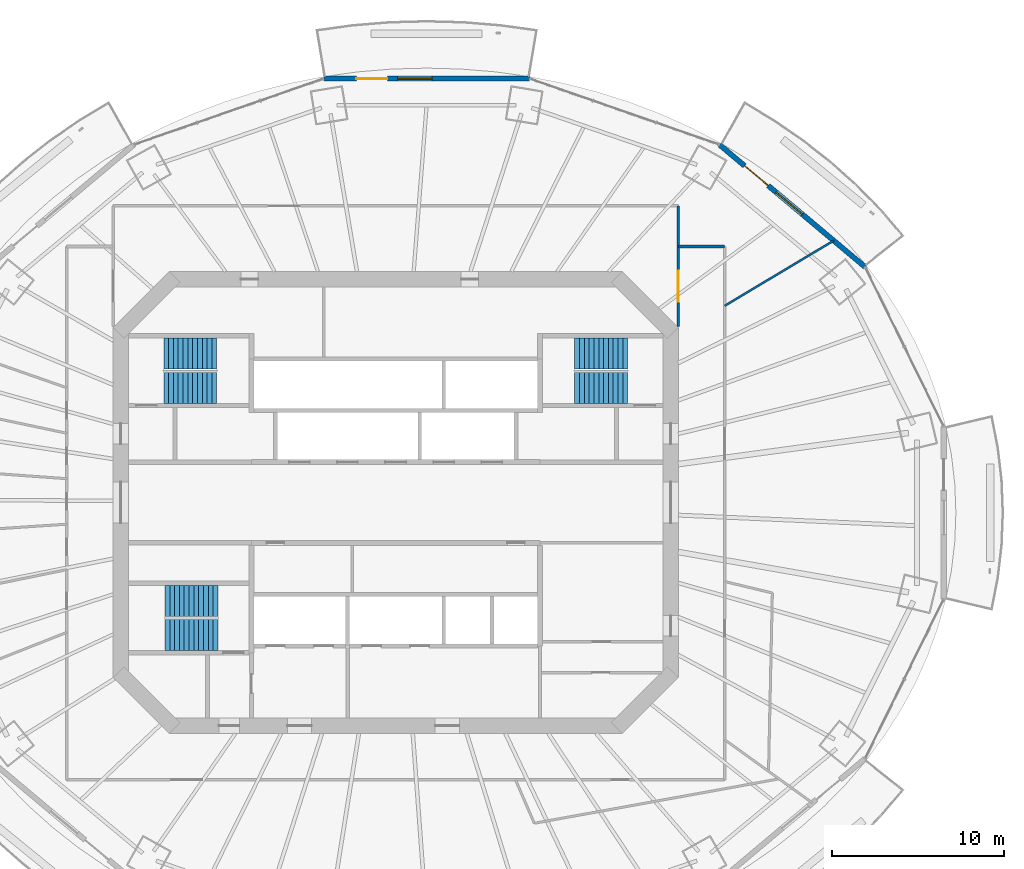
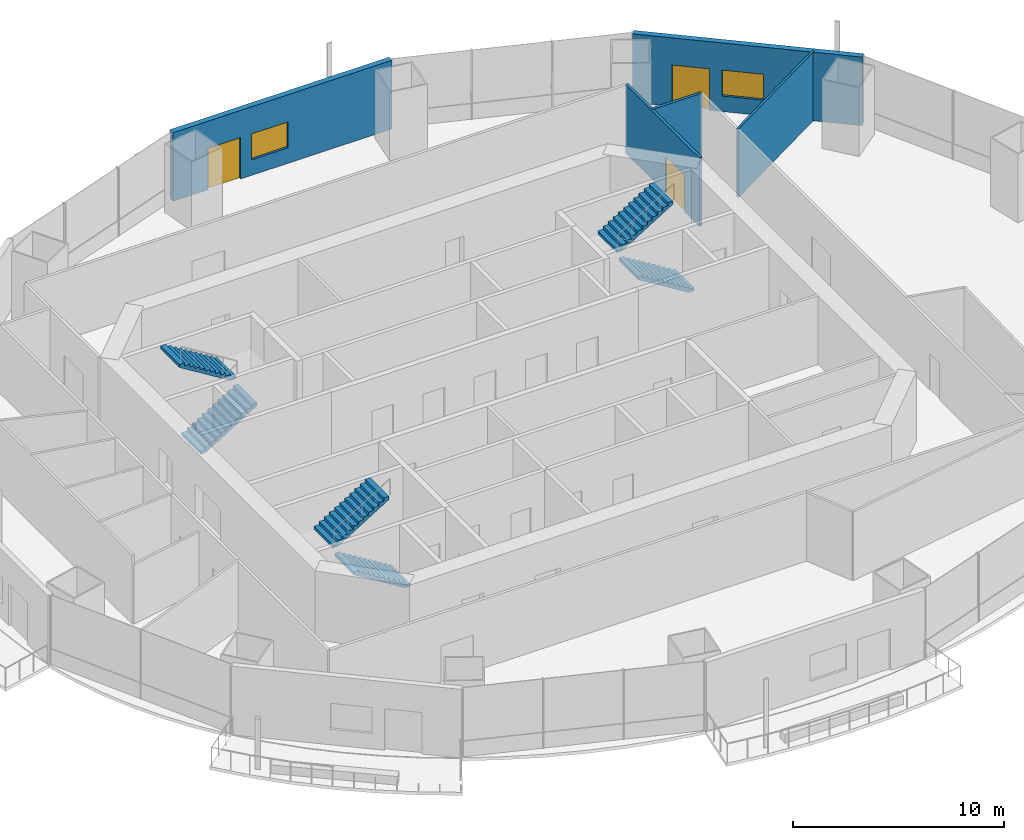
# One storey, part 13 of 19: 6 stair flights, 5 walls, 3 doors, 2 windows, 5 openings, 3 elements without a shape of their own.
"""IFC4 building model written with IfcOpenShell, lengths in metres."""

import ifcopenshell
import ifcopenshell.guid

model = None  # the IFC model being written
_history = None  # IfcOwnerHistory: only IFC2X3 demands one
_inside = {}  # id of a spatial element -> (the spatial element, [elements in it])
_under = {}  # id of a project, library or spatial element -> (it, [spatial elements below it])
_declared = {}  # id of a project -> (the project, [libraries it declares])
_typed = {}  # id of a type object -> (the type object, [elements of that type])
_made_of = {}  # id of a material, layer set ... -> (it, [elements and type objects made of it])


def new_model(schema):
    """Start an empty IFC model of exactly this schema.

    Asked for "IFC4X3", IfcOpenShell would pick the latest addendum, in which some entities
    have other attributes; the version numbers below select the first issue.
    IFC2X3 requires an IfcOwnerHistory on every rooted entity: one is made here for all.
    """
    global model, _history
    if schema == "IFC4X3":
        model = ifcopenshell.file(schema_version=(4, 3, 0, 0))
    else:
        model = ifcopenshell.file(schema=schema)
    _inside.clear()
    _under.clear()
    _declared.clear()
    _typed.clear()
    _made_of.clear()
    _history = None
    if model.schema == "IFC2X3":
        org = make("IfcOrganization", Name="unknown")
        user = make(
            "IfcPersonAndOrganization",
            ThePerson=make("IfcPerson", FamilyName="unknown"),
            TheOrganization=org,
        )
        app = make(
            "IfcApplication",
            ApplicationDeveloper=org,
            Version="unknown",
            ApplicationFullName="unknown",
            ApplicationIdentifier="unknown",
        )
        _history = make(
            "IfcOwnerHistory",
            OwningUser=user,
            OwningApplication=app,
            ChangeAction="ADDED",
            CreationDate=0,
        )
    return model


def make(cls, **values):
    """One entity of the class cls with the attributes given. An attribute that is None is left unset."""
    return model.create_entity(
        cls, **{name: value for name, value in values.items() if value is not None}
    )


def rooted(cls, **values):
    """An entity with a GlobalId (a new one), such as an element, a storey or a relation."""
    return make(cls, GlobalId=ifcopenshell.guid.new(), OwnerHistory=_history, **values)


def si_unit(unit_type, name, prefix=None):
    """IfcSIUnit, for example si_unit("LENGTHUNIT", "METRE", prefix="MILLI")."""
    return make("IfcSIUnit", UnitType=unit_type, Prefix=prefix, Name=name)


def assignment(units):
    """IfcUnitAssignment: the units of a project."""
    return None if units is None else make("IfcUnitAssignment", Units=units)


def point(xyz):
    """IfcCartesianPoint."""
    return None if xyz is None else make("IfcCartesianPoint", Coordinates=xyz)


def direction(xyz):
    """IfcDirection."""
    return None if xyz is None else make("IfcDirection", DirectionRatios=xyz)


def frame(location, z_axis=None, x_axis=None):
    """IfcAxis2Placement3D, a coordinate frame: its origin and axes. An axis left out is left unset."""
    return make(
        "IfcAxis2Placement3D",
        Location=point(location),
        Axis=direction(z_axis),
        RefDirection=direction(x_axis),
    )


def frame_2d(location, x_axis=None):
    """IfcAxis2Placement2D, a coordinate frame in the plane: its origin and x axis."""
    return make(
        "IfcAxis2Placement2D", Location=point(location), RefDirection=direction(x_axis)
    )


def origin():
    """The frame at (0, 0, 0) with its axes left unset."""
    return frame((0.0, 0.0, 0.0))


def place(relative_to, where):
    """IfcLocalPlacement: puts the frame where relative to a parent placement (None: the world)."""
    return make(
        "IfcLocalPlacement", PlacementRelTo=relative_to, RelativePlacement=where
    )


def context(
    kind, dimensions, precision=None, world=None, true_north=None, identifier=None
):
    """IfcGeometricRepresentationContext, for example the 3D "Model" context."""
    return make(
        "IfcGeometricRepresentationContext",
        ContextIdentifier=identifier,
        ContextType=kind,
        CoordinateSpaceDimension=dimensions,
        Precision=precision,
        WorldCoordinateSystem=world,
        TrueNorth=true_north,
    )


def subcontext(parent, identifier, kind, view, scale=None):
    """IfcGeometricRepresentationSubContext, for example "Body" below "Model"."""
    return make(
        "IfcGeometricRepresentationSubContext",
        ContextIdentifier=identifier,
        ContextType=kind,
        ParentContext=parent,
        TargetScale=scale,
        TargetView=view,
    )


def project(units=None, contexts=None):
    """IfcProject with its units and contexts."""
    return rooted(
        "IfcProject",
        Name="project",
        RepresentationContexts=contexts,
        UnitsInContext=assignment(units),
    )


def spatial(cls, under=None, at=None, **own):
    """A site, building, storey or space (cls), placed at a placement, below another one or the project."""
    s = rooted(cls, ObjectPlacement=at, **own)
    if under is not None:
        _under.setdefault(under.id(), (under, []))[1].append(s)
    return s


def polyline(points):
    """IfcPolyline through the points."""
    return make("IfcPolyline", Points=[point(p) for p in points])


def profile(cls, at=None, kind="AREA", **sizes):
    """A parametric profile (cls). Its sizes go by their IFC names, for example OverallWidth=200.0."""
    return make(cls, ProfileType=kind, Position=at, **sizes)


def rectangle(**sizes):
    """IfcRectangleProfileDef."""
    return profile("IfcRectangleProfileDef", **sizes)


def outline(outer, holes=None, kind="AREA"):
    """IfcArbitraryClosedProfileDef: a profile drawn as a closed curve; with holes, ...WithVoids."""
    if holes is None:
        return make("IfcArbitraryClosedProfileDef", ProfileType=kind, OuterCurve=outer)
    return make(
        "IfcArbitraryProfileDefWithVoids",
        ProfileType=kind,
        OuterCurve=outer,
        InnerCurves=holes,
    )


def extrude(swept, where, along, depth):
    """IfcExtrudedAreaSolid: the profile swept, set in the frame where, extruded along a direction by depth."""
    return make(
        "IfcExtrudedAreaSolid",
        SweptArea=swept,
        Position=where,
        ExtrudedDirection=direction(along),
        Depth=depth,
    )


def shape(context_of_items, identifier, shape_type, items):
    """IfcShapeRepresentation: the items that make up one representation, for example the "Body"."""
    return make(
        "IfcShapeRepresentation",
        ContextOfItems=context_of_items,
        RepresentationIdentifier=identifier,
        RepresentationType=shape_type,
        Items=items,
    )


def material(Name=None, Category=None):
    """IfcMaterial."""
    return make("IfcMaterial", Name=Name, Category=Category)


def layer(
    of_material, thickness, ventilated=None, Name=None, Category=None, Priority=None
):
    """IfcMaterialLayer: one layer of a wall or slab, of a material (None: an air gap)."""
    return make(
        "IfcMaterialLayer",
        Material=of_material,
        LayerThickness=thickness,
        IsVentilated=ventilated,
        Name=Name,
        Category=Category,
        Priority=Priority,
    )


def layer_set(layers, Name=None):
    """IfcMaterialLayerSet."""
    return make("IfcMaterialLayerSet", MaterialLayers=layers, LayerSetName=Name)


def made_of(thing, what):
    """Note that an element or type object is made of a material, layer set ...; save() writes the relation."""
    if what is not None:
        _made_of.setdefault(what.id(), (what, []))[1].append(thing)
    return thing


def type_object(cls, material=None, **own):
    """A type object (cls), such as IfcWallType, which elements share."""
    return made_of(rooted(cls, **own), material)


def element(
    cls,
    number,
    at=None,
    inside=None,
    cuts=None,
    type_object=None,
    material=None,
    context=None,
    identifier="Body",
    shape_type=None,
    held_by="IfcProductDefinitionShape",
    body=None,
    shapes=None,
    **own,
):
    """One element of the class cls, such as IfcWall. Its Tag is "e" and its number.

    at: its placement. inside: the storey or other place that contains it. cuts: it is an
    opening in that element (IfcRelVoidsElement). A single representation is given by context,
    identifier, shape_type and body (its items); several are given by shapes. held_by: the class
    of the entity that holds the representations. save() writes the other relations.
    """
    e = rooted(cls, Tag="e%d" % number, ObjectPlacement=at, **own)
    if body is not None:
        shapes = [shape(context, identifier, shape_type, body)]
    if shapes is not None:
        e.Representation = make(held_by, Representations=shapes)
    if inside is not None:
        _inside.setdefault(inside.id(), (inside, []))[1].append(e)
    if cuts is not None:
        rooted(
            "IfcRelVoidsElement", RelatingBuildingElement=cuts, RelatedOpeningElement=e
        )
    if type_object is not None:
        _typed.setdefault(type_object.id(), (type_object, []))[1].append(e)
    return made_of(e, material)


def fill(opening, filler):
    """IfcRelFillsElement: the door or window that sits in an opening."""
    return rooted(
        "IfcRelFillsElement",
        RelatingOpeningElement=opening,
        RelatedBuildingElement=filler,
    )


def aggregate(whole, parts):
    """IfcRelAggregates: a whole, such as a stair, and the parts it consists of."""
    return rooted("IfcRelAggregates", RelatingObject=whole, RelatedObjects=parts)


def save(model, path):
    """Write the relations noted so far, then the file.

    IfcRelAggregates (storeys below a building ...), IfcRelContainedInSpatialStructure (elements
    in a storey), IfcRelDefinesByType, IfcRelAssociatesMaterial and IfcRelDeclares: one each for
    every whole, place, type object, material and project.
    """
    for whole, parts in _under.values():
        aggregate(whole, parts)
    for where, things in _inside.values():
        rooted(
            "IfcRelContainedInSpatialStructure",
            RelatedElements=things,
            RelatingStructure=where,
        )
    for kind, things in _typed.values():
        rooted("IfcRelDefinesByType", RelatedObjects=things, RelatingType=kind)
    for what, things in _made_of.values():
        rooted("IfcRelAssociatesMaterial", RelatedObjects=things, RelatingMaterial=what)
    for by, libraries in _declared.values():
        rooted("IfcRelDeclares", RelatingContext=by, RelatedDefinitions=libraries)
    model.write(path)


model = new_model("IFC4")

# Units and contexts
model_context = context("Model", 3, precision=1e-05, world=origin(), true_north=direction((0.0, 1.0)))
body_context = subcontext(model_context, "Body", "Model", "MODEL_VIEW")
ifc_project = project(units=[si_unit("LENGTHUNIT", "METRE"), si_unit("AREAUNIT", "SQUARE_METRE"), si_unit("VOLUMEUNIT", "CUBIC_METRE"), si_unit("PLANEANGLEUNIT", "RADIAN"), si_unit("MASSUNIT", "GRAM", prefix="KILO")], contexts=[model_context])

# Site, building, storey
site_placement = place(None, origin())
site = spatial("IfcSite", under=ifc_project, at=site_placement, CompositionType="ELEMENT")
building_placement = place(site_placement, origin())
building = spatial("IfcBuilding", under=site, at=building_placement, Name="Marenthal Gate Tower", CompositionType="ELEMENT")
storey_placement = place(building_placement, frame((0.0, 0.0, 227.449951171875)))
storey = spatial("IfcBuildingStorey", under=building, at=storey_placement, Name="L50", CompositionType="ELEMENT", Elevation=227.449951171875)

# Wall
ifc_material_1 = material(Name="Gypsum board on steel studs", Category="steel")
ifc_layer_1 = layer(ifc_material_1, 0.1201171875)
ifc_layer_set_1 = layer_set([ifc_layer_1], Name="Partition 120")
wall_type_1 = type_object("IfcWallType", Name="Partition 120", PredefinedType="PARTITIONING", material=ifc_layer_set_1)
wall_1_placement = place(storey_placement, frame((19.14990234375, 11.449462890625, 0.0), z_axis=(0.0, 0.0, 1.0), x_axis=(0.858293202809, 0.513159602864, 0.0)))
element("IfcWall", 1, at=wall_1_placement, inside=storey, type_object=wall_type_1, Name="Partition wall 66", PredefinedType="PARTITIONING", context=body_context, shape_type="SweptSolid", body=[
    extrude(rectangle(XDim=7.392822265625, YDim=0.1201171875, at=frame_2d((3.6962890625, 0.0))), origin(), (0.0, 0.0, 1.0), 3.969970703125),
])

# Wall, opening, door
ifc_material_2 = material(Name="Gypsum board on steel studs", Category="steel")
ifc_layer_2 = layer(ifc_material_2, 0.14990234375)
ifc_layer_set_2 = layer_set([ifc_layer_2], Name="Partition 150")
wall_type_2 = type_object("IfcWallType", Name="Partition 150", PredefinedType="PARTITIONING", material=ifc_layer_set_2)
wall_2_placement = place(storey_placement, frame((16.449951171875, 10.25, 0.0), z_axis=(0.0, 0.0, 1.0), x_axis=(0.0, 1.0, 0.0)))
wall_2 = element("IfcWall", 2, at=wall_2_placement, inside=storey, type_object=wall_type_2, Name="Partition wall 62", PredefinedType="PARTITIONING", context=body_context, shape_type="SweptSolid", body=[
    extrude(rectangle(XDim=7.010986328125, YDim=0.14990234375, at=frame_2d((3.50537109375, 0.0))), origin(), (0.0, 0.0, 1.0), 3.969970703125),
])
opening_1_placement = place(wall_2_placement, frame((1.425048828125, 0.0, 0.0)))
opening_1 = element("IfcOpeningElement", 3, at=opening_1_placement, cuts=wall_2, Name="Opening D014.05", PredefinedType="OPENING", context=body_context, shape_type="SweptSolid", body=[
    extrude(rectangle(XDim=1.800048828125, YDim=2.10009765625, at=frame_2d((0.89990234375, 1.050048828125))), frame((0.0, 0.0849609375, 0.0), z_axis=(0.0, -1.0, 0.0), x_axis=(1.0, 0.0, 0.0)), (0.0, 0.0, 1.0), 0.169921875),
])
ifc_material_3 = material(Name="Timber door", Category="wood")
door_type_1 = type_object("IfcDoorType", Name="Double door 1800 x 2100", OperationType="DOUBLE_DOOR_SINGLE_SWING", PredefinedType="DOOR", material=ifc_material_3)
door_1_placement = place(opening_1_placement, origin())
door_1 = element("IfcDoor", 4, at=door_1_placement, inside=storey, type_object=door_type_1, Name="Door D014.05", OperationType="DOUBLE_DOOR_SINGLE_SWING", OverallHeight=2.10009765625, OverallWidth=1.800048828125, PredefinedType="DOOR", context=body_context, shape_type="SweptSolid", body=[
    extrude(rectangle(XDim=1.800048828125, YDim=2.10009765625, at=frame_2d((0.89990234375, 1.050048828125))), frame((0.0, 0.02490234375, 0.0), z_axis=(0.0, -1.0, 0.0), x_axis=(1.0, 0.0, 0.0)), (0.0, 0.0, 1.0), 0.050048828125),
])
fill(opening_1, door_1)

# Wall
wall_3_placement = place(storey_placement, frame((16.449951171875, 14.89990234375, 0.0), z_axis=(0.0, 0.0, 1.0), x_axis=(1.0, 0.0, 0.0)))
element("IfcWall", 5, at=wall_3_placement, inside=storey, type_object=wall_type_2, Name="Partition wall 63", PredefinedType="PARTITIONING", context=body_context, shape_type="SweptSolid", body=[
    extrude(rectangle(XDim=2.699951171875, YDim=0.14990234375, at=frame_2d((1.35009765625, 0.0))), origin(), (0.0, 0.0, 1.0), 3.969970703125),
])

# Wall, openings, door, window
ifc_material_4 = material(Name="Terracotta cladding on insulated concrete-block backing", Category="masonry")
ifc_layer_3 = layer(ifc_material_4, 0.300048828125)
ifc_layer_set_3 = layer_set([ifc_layer_3], Name="Terracotta facade wall 300")
wall_type_3 = type_object("IfcWallType", Name="Terracotta facade wall 300", PredefinedType="SOLIDWALL", material=ifc_layer_set_3)
wall_4_placement = place(storey_placement, frame((27.316162109375, 13.71435546875, 0.0), z_axis=(0.0, 0.0, 1.0), x_axis=(-0.765870158107, 0.642995257308, 0.0)))
wall_4 = element("IfcWall", 6, at=wall_4_placement, inside=storey, type_object=wall_type_3, Name="Terracotta facade wall L50 bay 2", PredefinedType="SOLIDWALL", context=body_context, shape_type="SweptSolid", body=[
    extrude(rectangle(XDim=11.05517578125, YDim=0.300048828125, at=frame_2d((5.527587890625, 0.0))), origin(), (0.0, 0.0, 1.0), 3.969970703125),
])
opening_2_placement = place(wall_4_placement, frame((7.355224609375, 0.0, 0.0)))
opening_2 = element("IfcOpeningElement", 7, at=opening_2_placement, cuts=wall_4, Name="Opening BD-L50-02", PredefinedType="OPENING", context=body_context, shape_type="SweptSolid", body=[
    extrude(rectangle(XDim=1.800048828125, YDim=2.39990234375, at=frame_2d((0.89990234375, 1.199951171875))), frame((0.0, 0.16015625, 0.0), z_axis=(0.0, -1.0, 0.0), x_axis=(1.0, 0.0, 0.0)), (0.0, 0.0, 1.0), 0.320068359375),
])
opening_3_placement = place(wall_4_placement, frame((4.755126953125, 0.0, 0.89990234375)))
opening_3 = element("IfcOpeningElement", 8, at=opening_3_placement, cuts=wall_4, Name="Opening WN2-L50-02", PredefinedType="OPENING", context=body_context, shape_type="SweptSolid", body=[
    extrude(rectangle(XDim=2.0, YDim=1.5, at=frame_2d((1.0, 0.75))), frame((0.0, 0.16015625, 0.0), z_axis=(0.0, -1.0, 0.0), x_axis=(1.0, 0.0, 0.0)), (0.0, 0.0, 1.0), 0.320068359375),
])
ifc_material_5 = material(Name="Aluminium and glass", Category="aluminium")
door_type_2 = type_object("IfcDoorType", Name="Balcony door 1800x2400", OperationType="DOUBLE_DOOR_SINGLE_SWING", PredefinedType="DOOR", material=ifc_material_5)
door_2_placement = place(opening_2_placement, origin())
door_2 = element("IfcDoor", 9, at=door_2_placement, inside=storey, type_object=door_type_2, Name="Balcony door L50 bay 2", OperationType="SINGLE_SWING_LEFT", OverallHeight=2.39990234375, OverallWidth=1.800048828125, PredefinedType="DOOR", context=body_context, shape_type="SweptSolid", body=[
    extrude(rectangle(XDim=1.800048828125, YDim=2.39990234375, at=frame_2d((0.89990234375, 1.199951171875))), frame((0.0, 0.02490234375, 0.0), z_axis=(0.0, -1.0, 0.0), x_axis=(1.0, 0.0, 0.0)), (0.0, 0.0, 1.0), 0.050048828125),
])
fill(opening_2, door_2)
ifc_material_6 = material(Name="Aluminium and glass", Category="aluminium")
window_type = type_object("IfcWindowType", Name="Window 2000x1500", PartitioningType="DOUBLE_PANEL_VERTICAL", PredefinedType="WINDOW", material=ifc_material_6)
window_1_placement = place(opening_3_placement, origin())
window_1 = element("IfcWindow", 10, at=window_1_placement, inside=storey, type_object=window_type, Name="Window L50 bay 2", OverallHeight=1.5, OverallWidth=2.0, PartitioningType="SINGLE_PANEL", PredefinedType="WINDOW", context=body_context, shape_type="SweptSolid", body=[
    extrude(rectangle(XDim=2.0, YDim=1.5, at=frame_2d((1.0, 0.75))), frame((0.0, 0.030029296875, 0.0), z_axis=(0.0, -1.0, 0.0), x_axis=(1.0, 0.0, 0.0)), (0.0, 0.0, 1.0), 0.06005859375),
])
fill(opening_3, window_1)

wall_5_placement = place(storey_placement, frame((7.786865234375, 24.669921875, 0.0), z_axis=(0.0, 0.0, 1.0), x_axis=(-1.0, 0.0, 0.0)))
wall_5 = element("IfcWall", 11, at=wall_5_placement, inside=storey, type_object=wall_type_3, Name="Terracotta facade wall L50 bay 4", PredefinedType="SOLIDWALL", context=body_context, shape_type="SweptSolid", body=[
    extrude(rectangle(XDim=11.973876953125, YDim=0.300048828125, at=frame_2d((5.98681640625, 0.0))), origin(), (0.0, 0.0, 1.0), 3.969970703125),
])
opening_4_placement = place(wall_5_placement, frame((8.273681640625, 0.0, 0.0)))
opening_4 = element("IfcOpeningElement", 12, at=opening_4_placement, cuts=wall_5, Name="Opening BD-L50-04", PredefinedType="OPENING", context=body_context, shape_type="SweptSolid", body=[
    extrude(rectangle(XDim=1.800048828125, YDim=2.39990234375, at=frame_2d((0.89990234375, 1.199951171875))), frame((0.0, 0.16015625, 0.0), z_axis=(0.0, -1.0, 0.0), x_axis=(1.0, 0.0, 0.0)), (0.0, 0.0, 1.0), 0.320068359375),
])
opening_5_placement = place(wall_5_placement, frame((5.673828125, 0.0, 0.89990234375)))
opening_5 = element("IfcOpeningElement", 13, at=opening_5_placement, cuts=wall_5, Name="Opening WN2-L50-04", PredefinedType="OPENING", context=body_context, shape_type="SweptSolid", body=[
    extrude(rectangle(XDim=2.0, YDim=1.5, at=frame_2d((1.0, 0.75))), frame((0.0, 0.16015625, 0.0), z_axis=(0.0, -1.0, 0.0), x_axis=(1.0, 0.0, 0.0)), (0.0, 0.0, 1.0), 0.320068359375),
])
door_3_placement = place(opening_4_placement, origin())
door_3 = element("IfcDoor", 14, at=door_3_placement, inside=storey, type_object=door_type_2, Name="Balcony door L50 bay 4", OperationType="SINGLE_SWING_LEFT", OverallHeight=2.39990234375, OverallWidth=1.800048828125, PredefinedType="DOOR", context=body_context, shape_type="SweptSolid", body=[
    extrude(rectangle(XDim=1.800048828125, YDim=2.39990234375, at=frame_2d((0.89990234375, 1.199951171875))), frame((0.0, 0.02490234375, 0.0), z_axis=(0.0, -1.0, 0.0), x_axis=(1.0, 0.0, 0.0)), (0.0, 0.0, 1.0), 0.050048828125),
])
fill(opening_4, door_3)
window_2_placement = place(opening_5_placement, origin())
window_2 = element("IfcWindow", 15, at=window_2_placement, inside=storey, type_object=window_type, Name="Window L50 bay 4", OverallHeight=1.5, OverallWidth=2.0, PartitioningType="SINGLE_PANEL", PredefinedType="WINDOW", context=body_context, shape_type="SweptSolid", body=[
    extrude(rectangle(XDim=2.0, YDim=1.5, at=frame_2d((1.0, 0.75))), frame((0.0, 0.030029296875, 0.0), z_axis=(0.0, -1.0, 0.0), x_axis=(1.0, 0.0, 0.0)), (0.0, 0.0, 1.0), 0.06005859375),
])
fill(opening_5, window_2)

# Stair, stair flights
ifc_material_7 = material(Name="Concrete 40 MPa", Category="concrete")
stair_type = type_object("IfcStairType", Name="Exit stair 1800", PredefinedType="HALF_TURN_STAIR", material=ifc_material_7)
stair_1_placement = place(storey_placement, origin())
stair_1 = element("IfcStair", 16, at=stair_1_placement, inside=storey, type_object=stair_type, Name="Stair ST1", PredefinedType="HALF_TURN_STAIR")
ifc_material_8 = material(Name="Concrete 40 MPa", Category="concrete")
stair_flight_type = type_object("IfcStairFlightType", Name="Stair flight 1800", PredefinedType="STRAIGHT", material=ifc_material_8)
stair_flight_1_placement = place(storey_placement, frame((-13.5, 6.675048828125, 0.0), z_axis=(0.0, 0.0, 1.0), x_axis=(1.0, 0.0, 0.0)))
stair_flight_1 = element("IfcStairFlight", 17, at=stair_flight_1_placement, type_object=stair_flight_type, Name="ST1 flight 1", NumberOfRisers=12, NumberOfTreads=11, PredefinedType="STRAIGHT", RiserHeight=0.172916667, TreadLength=0.28, context=body_context, shape_type="SweptSolid", body=[
    extrude(outline(polyline([(0.0, 0.0), (0.0, 0.1728515625), (0.280029296875, 0.1728515625), (0.280029296875, 0.345947265625), (0.56005859375, 0.345947265625), (0.56005859375, 0.518798828125), (0.840087890625, 0.518798828125), (0.840087890625, 0.691650390625), (1.1201171875, 0.691650390625), (1.1201171875, 0.864501953125), (1.39990234375, 0.864501953125), (1.39990234375, 1.03759765625), (1.679931640625, 1.03759765625), (1.679931640625, 1.21044921875), (1.9599609375, 1.21044921875), (1.9599609375, 1.38330078125), (2.239990234375, 1.38330078125), (2.239990234375, 1.55615234375), (2.52001953125, 1.55615234375), (2.52001953125, 1.729248046875), (2.800048828125, 1.729248046875), (2.800048828125, 1.902099609375), (3.080078125, 1.902099609375), (3.080078125, 2.074951171875), (3.080078125, 1.725830078125), (0.285400390625, 0.0), (0.0, 0.0)])), frame((0.0, 0.89990234375, 0.0), z_axis=(0.0, -1.0, 0.0), x_axis=(1.0, 0.0, 0.0)), (0.0, 0.0, 1.0), 1.800048828125),
])
stair_flight_2_placement = place(storey_placement, frame((-10.419921875, 8.675048828125, 2.074951171875), z_axis=(0.0, 0.0, 1.0), x_axis=(-1.0, 0.0, 0.0)))
stair_flight_2 = element("IfcStairFlight", 18, at=stair_flight_2_placement, type_object=stair_flight_type, Name="ST1 flight 2", NumberOfRisers=12, NumberOfTreads=11, PredefinedType="STRAIGHT", RiserHeight=0.172916667, TreadLength=0.28, context=body_context, shape_type="SweptSolid", body=[
    extrude(outline(polyline([(0.0, 0.0), (0.0, 0.1728515625), (0.280029296875, 0.1728515625), (0.280029296875, 0.345947265625), (0.56005859375, 0.345947265625), (0.56005859375, 0.518798828125), (0.840087890625, 0.518798828125), (0.840087890625, 0.691650390625), (1.1201171875, 0.691650390625), (1.1201171875, 0.864501953125), (1.39990234375, 0.864501953125), (1.39990234375, 1.03759765625), (1.679931640625, 1.03759765625), (1.679931640625, 1.21044921875), (1.9599609375, 1.21044921875), (1.9599609375, 1.38330078125), (2.239990234375, 1.38330078125), (2.239990234375, 1.55615234375), (2.52001953125, 1.55615234375), (2.52001953125, 1.729248046875), (2.800048828125, 1.729248046875), (2.800048828125, 1.902099609375), (3.080078125, 1.902099609375), (3.080078125, 2.074951171875), (3.080078125, 1.725830078125), (0.285400390625, 0.0), (0.0, 0.0)])), frame((0.0, 0.89990234375, 0.0), z_axis=(0.0, -1.0, 0.0), x_axis=(1.0, 0.0, 0.0)), (0.0, 0.0, 1.0), 1.800048828125),
])
aggregate(stair_1, [stair_flight_1, stair_flight_2])

stair_2_placement = place(storey_placement, origin())
stair_2 = element("IfcStair", 19, at=stair_2_placement, inside=storey, type_object=stair_type, Name="Stair ST2", PredefinedType="HALF_TURN_STAIR")
stair_flight_3_placement = place(storey_placement, frame((-10.35009765625, -7.72509765625, 0.0), z_axis=(0.0, 0.0, 1.0), x_axis=(-1.0, 0.0, 0.0)))
stair_flight_3 = element("IfcStairFlight", 20, at=stair_flight_3_placement, type_object=stair_flight_type, Name="ST2 flight 1", NumberOfRisers=12, NumberOfTreads=11, PredefinedType="STRAIGHT", RiserHeight=0.172916667, TreadLength=0.28, context=body_context, shape_type="SweptSolid", body=[
    extrude(outline(polyline([(0.0, 0.0), (0.0, 0.1728515625), (0.280029296875, 0.1728515625), (0.280029296875, 0.345947265625), (0.56005859375, 0.345947265625), (0.56005859375, 0.518798828125), (0.840087890625, 0.518798828125), (0.840087890625, 0.691650390625), (1.1201171875, 0.691650390625), (1.1201171875, 0.864501953125), (1.39990234375, 0.864501953125), (1.39990234375, 1.03759765625), (1.679931640625, 1.03759765625), (1.679931640625, 1.21044921875), (1.9599609375, 1.21044921875), (1.9599609375, 1.38330078125), (2.239990234375, 1.38330078125), (2.239990234375, 1.55615234375), (2.52001953125, 1.55615234375), (2.52001953125, 1.729248046875), (2.800048828125, 1.729248046875), (2.800048828125, 1.902099609375), (3.080078125, 1.902099609375), (3.080078125, 2.074951171875), (3.080078125, 1.725830078125), (0.285400390625, 0.0), (0.0, 0.0)])), frame((0.0, 0.89990234375, 0.0), z_axis=(0.0, -1.0, 0.0), x_axis=(1.0, 0.0, 0.0)), (0.0, 0.0, 1.0), 1.800048828125),
])
stair_flight_4_placement = place(storey_placement, frame((-13.429931640625, -5.72509765625, 2.074951171875), z_axis=(0.0, 0.0, 1.0), x_axis=(1.0, 0.0, 0.0)))
stair_flight_4 = element("IfcStairFlight", 21, at=stair_flight_4_placement, type_object=stair_flight_type, Name="ST2 flight 2", NumberOfRisers=12, NumberOfTreads=11, PredefinedType="STRAIGHT", RiserHeight=0.172916667, TreadLength=0.28, context=body_context, shape_type="SweptSolid", body=[
    extrude(outline(polyline([(0.0, 0.0), (0.0, 0.1728515625), (0.280029296875, 0.1728515625), (0.280029296875, 0.345947265625), (0.56005859375, 0.345947265625), (0.56005859375, 0.518798828125), (0.840087890625, 0.518798828125), (0.840087890625, 0.691650390625), (1.1201171875, 0.691650390625), (1.1201171875, 0.864501953125), (1.39990234375, 0.864501953125), (1.39990234375, 1.03759765625), (1.679931640625, 1.03759765625), (1.679931640625, 1.21044921875), (1.9599609375, 1.21044921875), (1.9599609375, 1.38330078125), (2.239990234375, 1.38330078125), (2.239990234375, 1.55615234375), (2.52001953125, 1.55615234375), (2.52001953125, 1.729248046875), (2.800048828125, 1.729248046875), (2.800048828125, 1.902099609375), (3.080078125, 1.902099609375), (3.080078125, 2.074951171875), (3.080078125, 1.725830078125), (0.285400390625, 0.0), (0.0, 0.0)])), frame((0.0, 0.89990234375, 0.0), z_axis=(0.0, -1.0, 0.0), x_axis=(1.0, 0.0, 0.0)), (0.0, 0.0, 1.0), 1.800048828125),
])
aggregate(stair_2, [stair_flight_3, stair_flight_4])

stair_3_placement = place(storey_placement, origin())
stair_3 = element("IfcStair", 22, at=stair_3_placement, inside=storey, type_object=stair_type, Name="Stair ST3", PredefinedType="HALF_TURN_STAIR")
stair_flight_5_placement = place(storey_placement, frame((13.5, 6.675048828125, 0.0), z_axis=(0.0, 0.0, 1.0), x_axis=(-1.0, 0.0, 0.0)))
stair_flight_5 = element("IfcStairFlight", 23, at=stair_flight_5_placement, type_object=stair_flight_type, Name="ST3 flight 1", NumberOfRisers=12, NumberOfTreads=11, PredefinedType="STRAIGHT", RiserHeight=0.172916667, TreadLength=0.28, context=body_context, shape_type="SweptSolid", body=[
    extrude(outline(polyline([(0.0, 0.0), (0.0, 0.1728515625), (0.280029296875, 0.1728515625), (0.280029296875, 0.345947265625), (0.56005859375, 0.345947265625), (0.56005859375, 0.518798828125), (0.840087890625, 0.518798828125), (0.840087890625, 0.691650390625), (1.1201171875, 0.691650390625), (1.1201171875, 0.864501953125), (1.39990234375, 0.864501953125), (1.39990234375, 1.03759765625), (1.679931640625, 1.03759765625), (1.679931640625, 1.21044921875), (1.9599609375, 1.21044921875), (1.9599609375, 1.38330078125), (2.239990234375, 1.38330078125), (2.239990234375, 1.55615234375), (2.52001953125, 1.55615234375), (2.52001953125, 1.729248046875), (2.800048828125, 1.729248046875), (2.800048828125, 1.902099609375), (3.080078125, 1.902099609375), (3.080078125, 2.074951171875), (3.080078125, 1.725830078125), (0.285400390625, 0.0), (0.0, 0.0)])), frame((0.0, 0.89990234375, 0.0), z_axis=(0.0, -1.0, 0.0), x_axis=(1.0, 0.0, 0.0)), (0.0, 0.0, 1.0), 1.800048828125),
])
stair_flight_6_placement = place(storey_placement, frame((10.419921875, 8.675048828125, 2.074951171875), z_axis=(0.0, 0.0, 1.0), x_axis=(1.0, 0.0, 0.0)))
stair_flight_6 = element("IfcStairFlight", 24, at=stair_flight_6_placement, type_object=stair_flight_type, Name="ST3 flight 2", NumberOfRisers=12, NumberOfTreads=11, PredefinedType="STRAIGHT", RiserHeight=0.172916667, TreadLength=0.28, context=body_context, shape_type="SweptSolid", body=[
    extrude(outline(polyline([(0.0, 0.0), (0.0, 0.1728515625), (0.280029296875, 0.1728515625), (0.280029296875, 0.345947265625), (0.56005859375, 0.345947265625), (0.56005859375, 0.518798828125), (0.840087890625, 0.518798828125), (0.840087890625, 0.691650390625), (1.1201171875, 0.691650390625), (1.1201171875, 0.864501953125), (1.39990234375, 0.864501953125), (1.39990234375, 1.03759765625), (1.679931640625, 1.03759765625), (1.679931640625, 1.21044921875), (1.9599609375, 1.21044921875), (1.9599609375, 1.38330078125), (2.239990234375, 1.38330078125), (2.239990234375, 1.55615234375), (2.52001953125, 1.55615234375), (2.52001953125, 1.729248046875), (2.800048828125, 1.729248046875), (2.800048828125, 1.902099609375), (3.080078125, 1.902099609375), (3.080078125, 2.074951171875), (3.080078125, 1.725830078125), (0.285400390625, 0.0), (0.0, 0.0)])), frame((0.0, 0.89990234375, 0.0), z_axis=(0.0, -1.0, 0.0), x_axis=(1.0, 0.0, 0.0)), (0.0, 0.0, 1.0), 1.800048828125),
])
aggregate(stair_3, [stair_flight_5, stair_flight_6])

save(model, "model.ifc")
